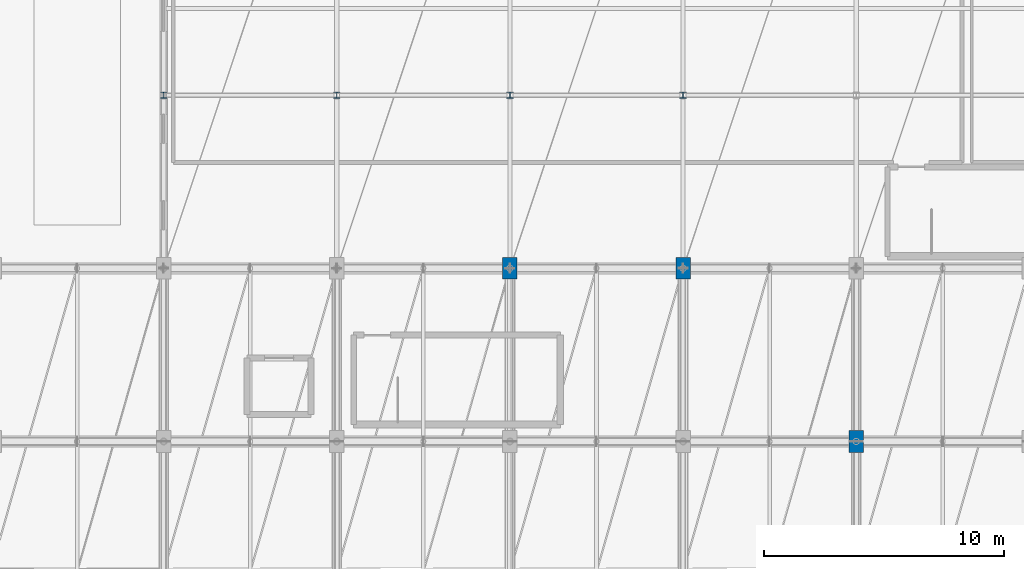
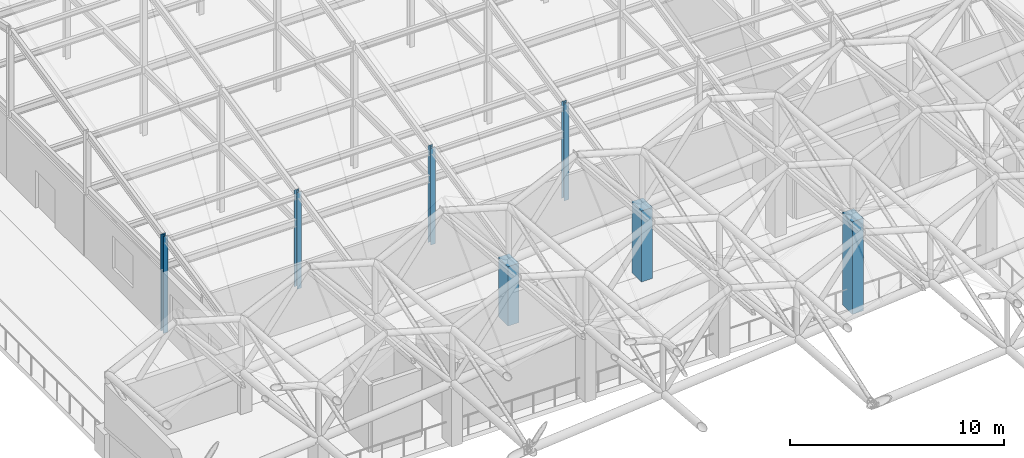
# One storey, part 2 of 113: 7 columns.
"""IFC4 building model written with IfcOpenShell, lengths in metres."""

from ifc_helpers import new_model, si_unit, direction, frame, origin, origin_2d, place, context, subcontext, project, spatial, rectangle, i_section, extrude, material, material_profile, profile_set, type_object, element, save


model = new_model("IFC4")

# Units and contexts
model_context = context("Model", 3, precision=1e-05, world=origin(), true_north=direction((0.0, 1.0)))
body_context = subcontext(model_context, "Body", "Model", "MODEL_VIEW")
ifc_project = project(units=[si_unit("LENGTHUNIT", "METRE"), si_unit("AREAUNIT", "SQUARE_METRE"), si_unit("VOLUMEUNIT", "CUBIC_METRE"), si_unit("PLANEANGLEUNIT", "RADIAN"), si_unit("MASSUNIT", "GRAM", prefix="KILO")], contexts=[model_context])

# Site, building, storey
site_placement = place(None, origin())
site = spatial("IfcSite", under=ifc_project, at=site_placement, CompositionType="ELEMENT")
building_placement = place(site_placement, origin())
building = spatial("IfcBuilding", under=site, at=building_placement, Name="Carrowvane Square Congress Hotel", CompositionType="ELEMENT")
storey_placement = place(building_placement, frame((0.0, 0.0, 15.0)))
storey = spatial("IfcBuildingStorey", under=building, at=storey_placement, Name="L03", CompositionType="ELEMENT", Elevation=15.0)

# Columns
ifc_material_1 = material(Name="Concrete C40/50", Category="concrete")
ifc_material_profile_1 = material_profile(ifc_material_1, rectangle(XDim=0.60009765625, YDim=0.89990234375, at=origin_2d()), Name="RC 600x900")
ifc_profile_set_1 = profile_set([ifc_material_profile_1], Name="Concrete C40/50")
column_type_1 = type_object("IfcColumnType", Name="COL-RC-600x900", PredefinedType="COLUMN", material=ifc_profile_set_1)
column_1_placement = place(storey_placement, frame((33.199951171875, 55.800048828125, 0.0), z_axis=(0.0, 0.0, 1.0), x_axis=(1.0, 0.0, 0.0)))
element("IfcColumn", 1, at=column_1_placement, inside=storey, type_object=column_type_1, Name="L03 column 4/H", PredefinedType="COLUMN", context=body_context, shape_type="SweptSolid", body=[
    extrude(rectangle(XDim=0.60009765625, YDim=0.89990234375, at=origin_2d()), origin(), (0.0, 0.0, 1.0), 3.391357421875),
])
column_2_placement = place(storey_placement, frame((40.39990234375, 55.800048828125, 0.0), z_axis=(0.0, 0.0, 1.0), x_axis=(1.0, 0.0, 0.0)))
element("IfcColumn", 2, at=column_2_placement, inside=storey, type_object=column_type_1, Name="L03 column 5/H", PredefinedType="COLUMN", context=body_context, shape_type="SweptSolid", body=[
    extrude(rectangle(XDim=0.60009765625, YDim=0.89990234375, at=origin_2d()), origin(), (0.0, 0.0, 1.0), 4.048583984375),
])
column_3_placement = place(storey_placement, frame((47.60009765625, 48.60009765625, 0.0), z_axis=(0.0, 0.0, 1.0), x_axis=(1.0, 0.0, 0.0)))
element("IfcColumn", 3, at=column_3_placement, inside=storey, type_object=column_type_1, Name="L03 column 6/G", PredefinedType="COLUMN", context=body_context, shape_type="SweptSolid", body=[
    extrude(rectangle(XDim=0.60009765625, YDim=0.89990234375, at=origin_2d()), origin(), (0.0, 0.0, 1.0), 5.277099609375),
])
ifc_material_2 = material(Name="Steel S355", Category="steel")
ifc_material_profile_2 = material_profile(ifc_material_2, i_section(OverallWidth=0.25634765625, OverallDepth=0.26025390625, WebThickness=0.01025390625, FlangeThickness=0.017333984375, FilletRadius=0.0126953125, at=origin_2d()), Name="UKC 254x254x89")
ifc_profile_set_2 = profile_set([ifc_material_profile_2], Name="Steel S355")
column_type_2 = type_object("IfcColumnType", Name="COL-ST-UKC254", PredefinedType="COLUMN", material=ifc_profile_set_2)
for number, where, z_axis, x_axis, name in (
    (4, (18.800048828125, 63.0, 0.0), (0.0, 0.0, 1.0), (1.0, 0.0, 0.0), "L03 column 2/J"),
    (5, (26.0, 63.0, 0.0), (0.0, 0.0, 1.0), (1.0, 0.0, 0.0), "L03 column 3/J"),
    (6, (33.199951171875, 63.0, 0.0), (0.0, 0.0, 1.0), (1.0, 0.0, 0.0), "L03 column 4/J"),
    (7, (40.39990234375, 63.0, 0.0), (0.0, 0.0, 1.0), (1.0, 0.0, 0.0), "L03 column 5/J"),
):
    element("IfcColumn", number, at=place(storey_placement, frame(where, z_axis=z_axis, x_axis=x_axis)), inside=storey, type_object=column_type_2, Name=name, PredefinedType="COLUMN", context=body_context, shape_type="SweptSolid", body=[
        extrude(i_section(OverallWidth=0.25634765625, OverallDepth=0.26025390625, WebThickness=0.01025390625, FlangeThickness=0.017333984375, FilletRadius=0.0126953125, at=origin_2d()), origin(), (0.0, 0.0, 1.0), 5.510498046875),
    ])

save(model, "model.ifc")
